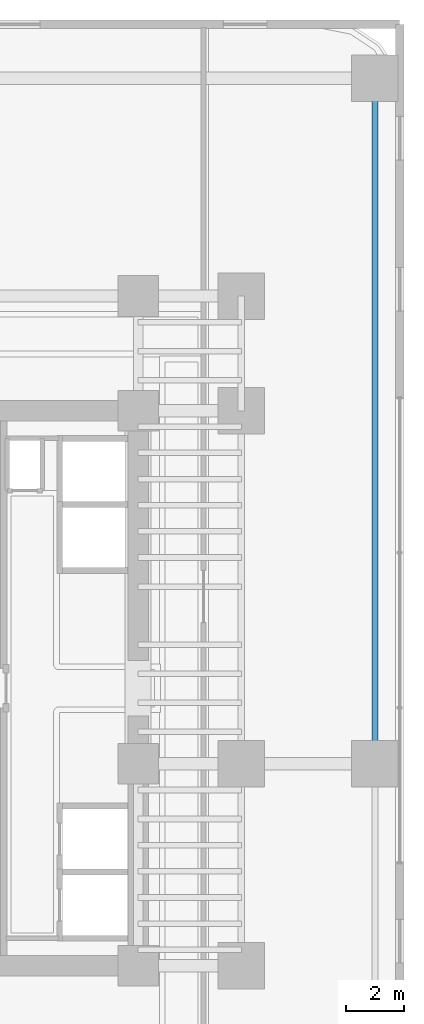
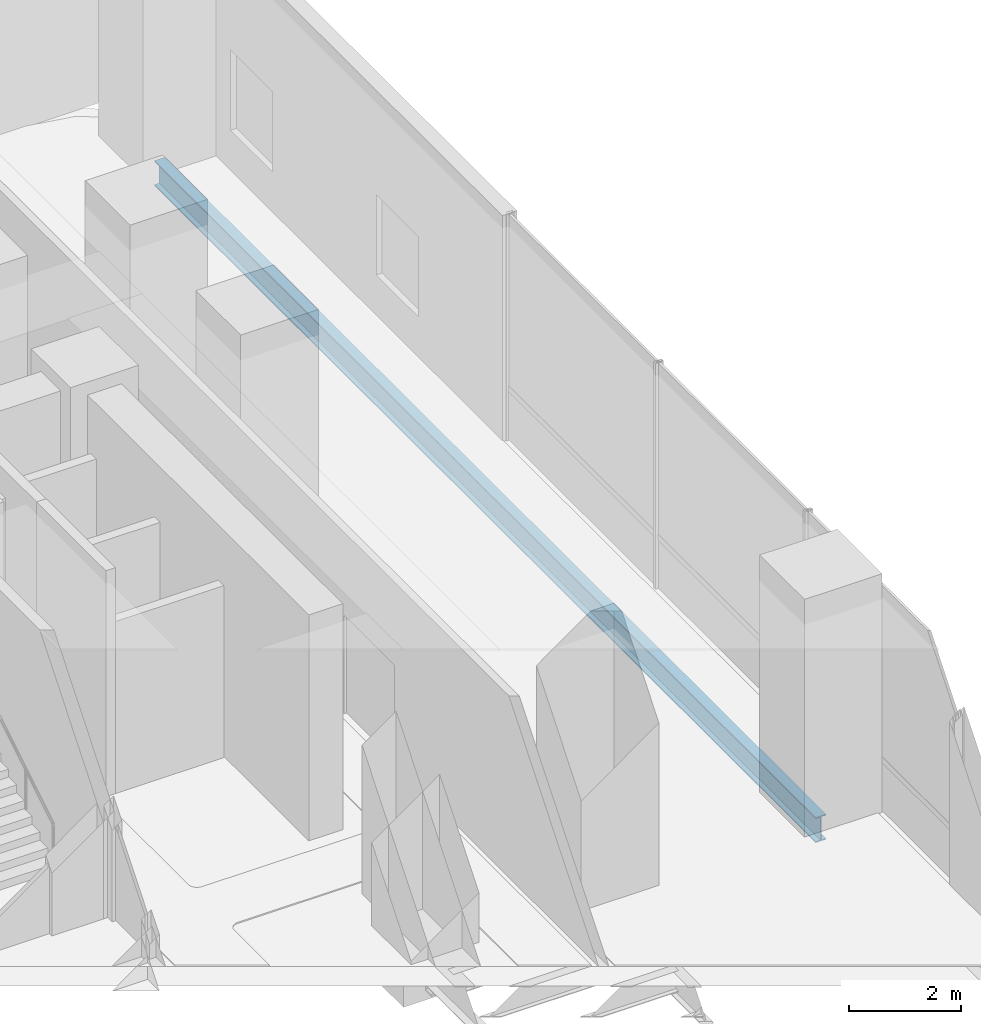
# One storey, part 23 of 39: 1 beam.
"""IFC4 building model written with IfcOpenShell, lengths in metres."""

from ifc_helpers import new_model, si_unit, direction, frame, origin, origin_2d, place, context, subcontext, project, spatial, i_section, extrude, source, transform, mapped, material, material_profile, profile_set, type_object, element, save


model = new_model("IFC4")

# Units and contexts
model_context = context("Model", 3, precision=1e-05, world=origin(), true_north=direction((0.0, 1.0)))
body_context = subcontext(model_context, "Body", "Model", "MODEL_VIEW")
ifc_project = project(units=[si_unit("LENGTHUNIT", "METRE"), si_unit("AREAUNIT", "SQUARE_METRE"), si_unit("VOLUMEUNIT", "CUBIC_METRE"), si_unit("PLANEANGLEUNIT", "RADIAN"), si_unit("MASSUNIT", "GRAM", prefix="KILO")], contexts=[model_context])

# Site, building, storey
site_placement = place(None, origin())
site = spatial("IfcSite", under=ifc_project, at=site_placement, CompositionType="ELEMENT")
building_placement = place(site_placement, origin())
building = spatial("IfcBuilding", under=site, at=building_placement, Name="Valdorenza Pilgrim Sanctuary Tower", CompositionType="ELEMENT")
storey_placement = place(building_placement, frame((0.0, 0.0, 5.199951171875)))
storey = spatial("IfcBuildingStorey", under=building, at=storey_placement, Name="L01", CompositionType="ELEMENT", Elevation=5.199951171875)

# Beam
ifc_material = material(Name="Steel ASTM A992 Grade 50", Category="steel")
ifc_material_profile = material_profile(ifc_material, i_section(OverallWidth=0.214111328125, OverallDepth=0.549072265625, WebThickness=0.0146484375, FlangeThickness=0.023681640625, at=origin_2d()), Name="W21X93")
ifc_profile_set = profile_set([ifc_material_profile], Name="Steel ASTM A992 Grade 50")
beam_type = type_object("IfcBeamType", Name="STR-BM-SPN-W21A", PredefinedType="SPANDREL", material=ifc_profile_set)
shared_shape = source(origin(), body_context, "Body", "SweptSolid", [
    extrude(i_section(OverallWidth=0.214111328125, OverallDepth=0.549072265625, WebThickness=0.0146484375, FlangeThickness=0.023681640625, at=origin_2d()), origin(), (0.0, 0.0, 1.0), 23.60009765625),
])
beam_placement = place(storey_placement, frame((33.0, -2.60009765625, -0.554443359375), z_axis=(0.0, 1.0, 0.0), x_axis=(-1.0, 0.0, 0.0)))
element("IfcBeam", 1, at=beam_placement, inside=storey, type_object=beam_type, Name="L01 Floor Girder POD-SPN-EN", PredefinedType="SPANDREL", context=body_context, shape_type="MappedRepresentation", body=[
    mapped(shared_shape, transform((0.0, 0.0, 0.0), x_axis=(1.0, 0.0, 0.0), y_axis=(0.0, 1.0, 0.0), z_axis=(0.0, 0.0, 1.0), scale=1.0)),
])

save(model, "model.ifc")
